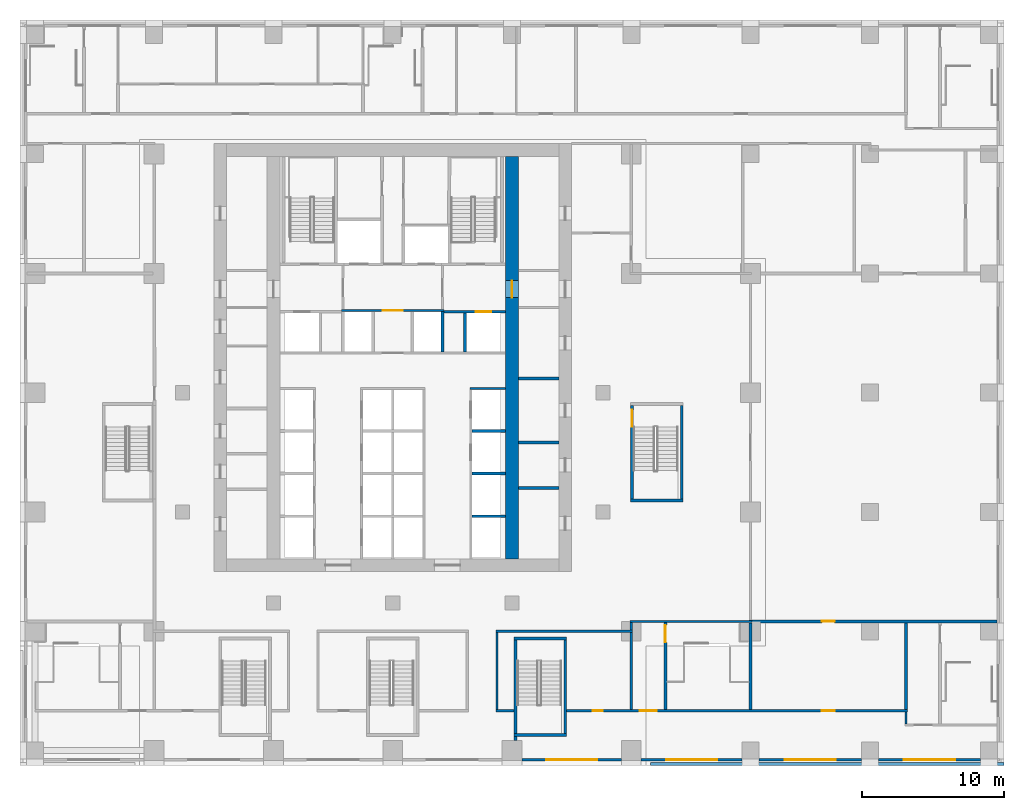
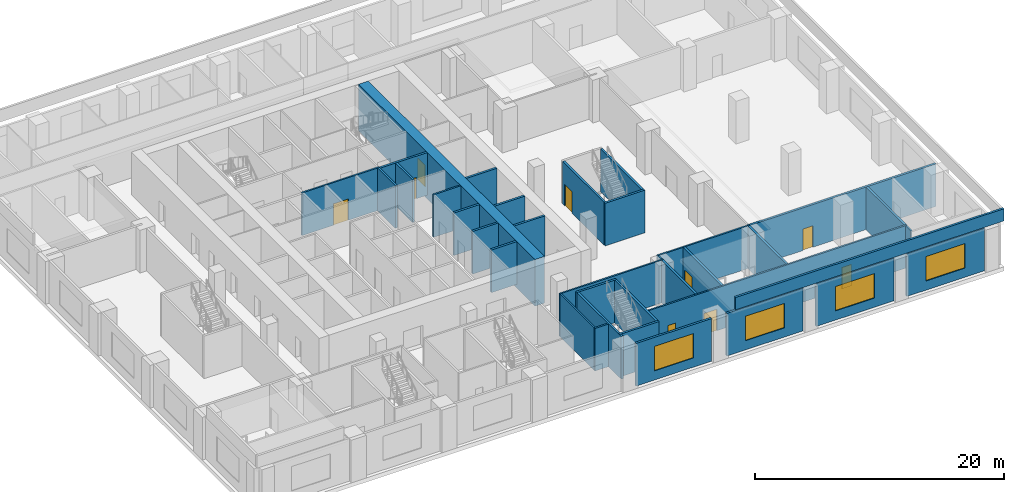
# One storey, part 5 of 16: 36 walls, 9 doors, 4 windows, 13 openings.
"""IFC4 building model written with IfcOpenShell, lengths in metres."""

from ifc_helpers import new_model, si_unit, direction, frame, frame_2d, origin, place, context, subcontext, project, spatial, rectangle, extrude, material, layer, layer_set, type_object, element, fill, save


model = new_model("IFC4")

# Units and contexts
model_context = context("Model", 3, precision=1e-05, world=origin(), true_north=direction((0.0, 1.0)))
body_context = subcontext(model_context, "Body", "Model", "MODEL_VIEW")
ifc_project = project(units=[si_unit("LENGTHUNIT", "METRE"), si_unit("AREAUNIT", "SQUARE_METRE"), si_unit("VOLUMEUNIT", "CUBIC_METRE"), si_unit("PLANEANGLEUNIT", "RADIAN"), si_unit("MASSUNIT", "GRAM", prefix="KILO")], contexts=[model_context])

# Site, building, storey
site_placement = place(None, origin())
site = spatial("IfcSite", under=ifc_project, at=site_placement, CompositionType="ELEMENT")
building_placement = place(site_placement, origin())
building = spatial("IfcBuilding", under=site, at=building_placement, Name="Vermilion Ogive Tower", CompositionType="ELEMENT")
storey_placement = place(building_placement, frame((0.0, 0.0, 30.0)))
storey = spatial("IfcBuildingStorey", under=building, at=storey_placement, Name="L05", CompositionType="ELEMENT", Elevation=30.0)

# Wall, opening, door
ifc_material_1 = material(Name="Concrete B80", Category="concrete")
ifc_layer_1 = layer(ifc_material_1, 0.89990234375)
ifc_layer_set_1 = layer_set([ifc_layer_1], Name="Core wall 900 B80")
wall_type_1 = type_object("IfcWallType", Name="Core wall 900 B80", PredefinedType="SHEAR", material=ifc_layer_set_1)
wall_1_placement = place(storey_placement, frame((8.39990234375, -7.5, -0.39990234375), z_axis=(0.0, 0.0, 1.0), x_axis=(0.0, 1.0, 0.0)))
wall_1 = element("IfcWall", 1, at=wall_1_placement, inside=storey, type_object=wall_type_1, Name="L05-CORE-WEB2", PredefinedType="SHEAR", context=body_context, shape_type="SweptSolid", body=[
    extrude(rectangle(XDim=28.35009765625, YDim=0.89990234375, at=frame_2d((14.175048828125, 0.0))), origin(), (0.0, 0.0, 1.0), 4.579833984375),
])
opening_1_placement = place(wall_1_placement, frame((18.39990234375, 0.0, 0.39990234375)))
opening_1 = element("IfcOpeningElement", 2, at=opening_1_placement, cuts=wall_1, Name="Opening DBC006", PredefinedType="OPENING", context=body_context, shape_type="SweptSolid", body=[
    extrude(rectangle(XDim=1.199951171875, YDim=2.10009765625, at=frame_2d((0.60009765625, 1.050048828125))), frame((0.0, 0.4599609375, 0.0), z_axis=(0.0, -1.0, 0.0), x_axis=(1.0, 0.0, 0.0)), (0.0, 0.0, 1.0), 0.919921875),
])
ifc_material_2 = material(Name="Timber door leaf", Category="wood")
door_type_1 = type_object("IfcDoorType", Name="Link door 1200 x 2100 FD60S", OperationType="SINGLE_SWING_LEFT", PredefinedType="DOOR", material=ifc_material_2)
door_1_placement = place(opening_1_placement, origin())
door_1 = element("IfcDoor", 3, at=door_1_placement, inside=storey, type_object=door_type_1, Name="L05-CKE-XW", OperationType="SINGLE_SWING_LEFT", OverallHeight=2.10009765625, OverallWidth=1.199951171875, PredefinedType="DOOR", context=body_context, shape_type="SweptSolid", body=[
    extrude(rectangle(XDim=1.199951171875, YDim=2.10009765625, at=frame_2d((0.60009765625, 1.050048828125))), frame((0.0, 0.02490234375, 0.0), z_axis=(0.0, -1.0, 0.0), x_axis=(1.0, 0.0, 0.0)), (0.0, 0.0, 1.0), 0.050048828125),
])
fill(opening_1, door_1)

# Wall
ifc_material_3 = material(Name="Gypsum board partition on steel studs", Category="steel")
ifc_layer_2 = layer(ifc_material_3, 0.14990234375)
ifc_layer_set_2 = layer_set([ifc_layer_2], Name="Partition 150 corridor")
wall_type_2 = type_object("IfcWallType", Name="Partition 150 corridor", PredefinedType="PARTITIONING", material=ifc_layer_set_2)
wall_2_placement = place(storey_placement, frame((7.27490234375, -18.199951171875, 0.0), z_axis=(0.0, 0.0, 1.0), x_axis=(1.0, 0.0, 0.0)))
element("IfcWall", 4, at=wall_2_placement, inside=storey, type_object=wall_type_2, Name="L05-FS-W-W006", PredefinedType="PARTITIONING", context=body_context, shape_type="SweptSolid", body=[
    extrude(rectangle(XDim=1.275146484375, YDim=0.14990234375, at=frame_2d((0.6376953125, 0.0))), origin(), (0.0, 0.0, 1.0), 4.179931640625),
])

# Wall, openings, doors
wall_3_placement = place(storey_placement, frame((12.25, -18.199951171875, 0.0), z_axis=(0.0, 0.0, 1.0), x_axis=(1.0, 0.0, 0.0)))
wall_3 = element("IfcWall", 5, at=wall_3_placement, inside=storey, type_object=wall_type_2, Name="L05-FS-W-W007", PredefinedType="PARTITIONING", context=body_context, shape_type="SweptSolid", body=[
    extrude(rectangle(XDim=24.0, YDim=0.14990234375, at=frame_2d((12.0, 0.0))), origin(), (0.0, 0.0, 1.0), 4.179931640625),
])
opening_2_placement = place(wall_3_placement, frame((5.14990234375, 0.0, 0.0)))
opening_2 = element("IfcOpeningElement", 6, at=opening_2_placement, cuts=wall_3, Name="Opening L05S009", PredefinedType="OPENING", context=body_context, shape_type="SweptSolid", body=[
    extrude(rectangle(XDim=1.199951171875, YDim=2.10009765625, at=frame_2d((0.60009765625, 1.050048828125))), frame((0.0, 0.0849609375, 0.0), z_axis=(0.0, -1.0, 0.0), x_axis=(1.0, 0.0, 0.0)), (0.0, 0.0, 1.0), 0.169921875),
])
opening_3_placement = place(wall_3_placement, frame((17.97509765625, 0.0, 0.0)))
opening_3 = element("IfcOpeningElement", 7, at=opening_3_placement, cuts=wall_3, Name="Opening L05S026", PredefinedType="OPENING", context=body_context, shape_type="SweptSolid", body=[
    extrude(rectangle(XDim=0.89990234375, YDim=2.10009765625, at=frame_2d((0.449951171875, 1.050048828125))), frame((0.0, 0.0849609375, 0.0), z_axis=(0.0, -1.0, 0.0), x_axis=(1.0, 0.0, 0.0)), (0.0, 0.0, 1.0), 0.169921875),
])
opening_4_placement = place(wall_3_placement, frame((1.824951171875, 0.0, 0.0)))
opening_4 = element("IfcOpeningElement", 8, at=opening_4_placement, cuts=wall_3, Name="Opening L05S033", PredefinedType="OPENING", context=body_context, shape_type="SweptSolid", body=[
    extrude(rectangle(XDim=0.699951171875, YDim=2.10009765625, at=frame_2d((0.35009765625, 1.050048828125))), frame((0.0, 0.0849609375, 0.0), z_axis=(0.0, -1.0, 0.0), x_axis=(1.0, 0.0, 0.0)), (0.0, 0.0, 1.0), 0.169921875),
])
ifc_material_4 = material(Name="Timber door leaf", Category="wood")
door_type_2 = type_object("IfcDoorType", Name="Room door 700 x 2100 FD30", OperationType="SINGLE_SWING_LEFT", PredefinedType="DOOR", material=ifc_material_4)
door_2_placement = place(opening_4_placement, origin())
door_2 = element("IfcDoor", 9, at=door_2_placement, inside=storey, type_object=door_type_2, Name="L05-FS-D-D033", OperationType="SINGLE_SWING_LEFT", OverallHeight=2.10009765625, OverallWidth=0.699951171875, PredefinedType="DOOR", context=body_context, shape_type="SweptSolid", body=[
    extrude(rectangle(XDim=0.699951171875, YDim=2.10009765625, at=frame_2d((0.35009765625, 1.050048828125))), frame((0.0, 0.02490234375, 0.0), z_axis=(0.0, -1.0, 0.0), x_axis=(1.0, 0.0, 0.0)), (0.0, 0.0, 1.0), 0.050048828125),
])
fill(opening_4, door_2)
ifc_material_5 = material(Name="Timber door leaf", Category="wood")
door_type_3 = type_object("IfcDoorType", Name="Room door 900 x 2100 FD30", OperationType="SINGLE_SWING_LEFT", PredefinedType="DOOR", material=ifc_material_5)
door_3_placement = place(opening_3_placement, origin())
door_3 = element("IfcDoor", 10, at=door_3_placement, inside=storey, type_object=door_type_3, Name="L05-FS-D-D026", OperationType="SINGLE_SWING_LEFT", OverallHeight=2.10009765625, OverallWidth=0.89990234375, PredefinedType="DOOR", context=body_context, shape_type="SweptSolid", body=[
    extrude(rectangle(XDim=0.89990234375, YDim=2.10009765625, at=frame_2d((0.449951171875, 1.050048828125))), frame((0.0, 0.02490234375, 0.0), z_axis=(0.0, -1.0, 0.0), x_axis=(1.0, 0.0, 0.0)), (0.0, 0.0, 1.0), 0.050048828125),
])
fill(opening_3, door_3)
ifc_material_6 = material(Name="Timber door leaf", Category="wood")
door_type_4 = type_object("IfcDoorType", Name="Stair door 1200 x 2100 FD60S", OperationType="SINGLE_SWING_LEFT", PredefinedType="DOOR", material=ifc_material_6)
door_4_placement = place(opening_2_placement, origin())
door_4 = element("IfcDoor", 11, at=door_4_placement, inside=storey, type_object=door_type_4, Name="L05-FS-D-D009", OperationType="SINGLE_SWING_LEFT", OverallHeight=2.10009765625, OverallWidth=1.199951171875, PredefinedType="DOOR", context=body_context, shape_type="SweptSolid", body=[
    extrude(rectangle(XDim=1.199951171875, YDim=2.10009765625, at=frame_2d((0.60009765625, 1.050048828125))), frame((0.0, 0.02490234375, 0.0), z_axis=(0.0, -1.0, 0.0), x_axis=(1.0, 0.0, 0.0)), (0.0, 0.0, 1.0), 0.050048828125),
])
fill(opening_2, door_4)

# Walls
wall_4_placement = place(storey_placement, frame((7.27490234375, -12.60009765625, 0.0), z_axis=(0.0, 0.0, 1.0), x_axis=(1.0, 0.0, 0.0)))
element("IfcWall", 12, at=wall_4_placement, inside=storey, type_object=wall_type_2, Name="L05-FS-W-W010", PredefinedType="PARTITIONING", context=body_context, shape_type="SweptSolid", body=[
    extrude(rectangle(XDim=9.625, YDim=0.14990234375, at=frame_2d((4.8125, 0.0))), origin(), (0.0, 0.0, 1.0), 4.179931640625),
])
wall_5_placement = place(storey_placement, frame((16.72509765625, -11.89990234375, 0.0), z_axis=(0.0, 0.0, 1.0), x_axis=(1.0, 0.0, 0.0)))
element("IfcWall", 13, at=wall_5_placement, inside=storey, type_object=wall_type_2, Name="L05-FS-W-W012", PredefinedType="PARTITIONING", context=body_context, shape_type="SweptSolid", body=[
    extrude(rectangle(XDim=8.574951171875, YDim=0.14990234375, at=frame_2d((4.28759765625, 0.0))), origin(), (0.0, 0.0, 1.0), 4.179931640625),
])
wall_6_placement = place(storey_placement, frame((7.35009765625, -18.125, 0.0), z_axis=(0.0, 0.0, 1.0), x_axis=(0.0, 1.0, 0.0)))
element("IfcWall", 14, at=wall_6_placement, inside=storey, type_object=wall_type_2, Name="L05-FS-W-W042", PredefinedType="PARTITIONING", context=body_context, shape_type="SweptSolid", body=[
    extrude(rectangle(XDim=5.449951171875, YDim=0.14990234375, at=frame_2d((2.72509765625, 0.0))), origin(), (0.0, 0.0, 1.0), 4.179931640625),
])
wall_7_placement = place(storey_placement, frame((16.800048828125, -12.52490234375, 0.0), z_axis=(0.0, 0.0, 1.0), x_axis=(0.0, 1.0, 0.0)))
element("IfcWall", 15, at=wall_7_placement, inside=storey, type_object=wall_type_2, Name="L05-FS-W-W046", PredefinedType="PARTITIONING", context=body_context, shape_type="SweptSolid", body=[
    extrude(rectangle(XDim=0.5498046875, YDim=0.14990234375, at=frame_2d((0.27490234375, 0.0))), origin(), (0.0, 0.0, 1.0), 4.179931640625),
])
wall_8_placement = place(storey_placement, frame((36.14990234375, -19.125, 0.0), z_axis=(0.0, 0.0, 1.0), x_axis=(0.0, 1.0, 0.0)))
element("IfcWall", 16, at=wall_8_placement, inside=storey, type_object=wall_type_2, Name="L05-FS-W-W055", PredefinedType="PARTITIONING", context=body_context, shape_type="SweptSolid", body=[
    extrude(rectangle(XDim=0.85009765625, YDim=0.14990234375, at=frame_2d((0.425048828125, 0.0))), origin(), (0.0, 0.0, 1.0), 4.179931640625),
])
wall_9_placement = place(storey_placement, frame((5.425048828125, 4.5, 0.0), z_axis=(0.0, 0.0, 1.0), x_axis=(1.0, 0.0, 0.0)))
element("IfcWall", 17, at=wall_9_placement, inside=storey, type_object=wall_type_2, Name="L05-CK-W-W012", PredefinedType="PARTITIONING", context=body_context, shape_type="SweptSolid", body=[
    extrude(rectangle(XDim=2.52392578125, YDim=0.14990234375, at=frame_2d((1.261962890625, 0.0))), origin(), (0.0, 0.0, 1.0), 4.179931640625),
])

# Wall, opening, door
wall_10_placement = place(storey_placement, frame((-3.60009765625, 10.0, 0.0), z_axis=(0.0, 0.0, 1.0), x_axis=(1.0, 0.0, 0.0)))
wall_10 = element("IfcWall", 18, at=wall_10_placement, inside=storey, type_object=wall_type_2, Name="L05-CK-W-W016", PredefinedType="PARTITIONING", context=body_context, shape_type="SweptSolid", body=[
    extrude(rectangle(XDim=7.2001953125, YDim=0.14990234375, at=frame_2d((3.60009765625, 0.0))), origin(), (0.0, 0.0, 1.0), 4.179931640625),
])
opening_5_placement = place(wall_10_placement, frame((2.900146484375, 0.0, 0.0)))
opening_5 = element("IfcOpeningElement", 19, at=opening_5_placement, cuts=wall_10, Name="Opening DAB127", PredefinedType="OPENING", context=body_context, shape_type="SweptSolid", body=[
    extrude(rectangle(XDim=1.39990234375, YDim=2.10009765625, at=frame_2d((0.699951171875, 1.050048828125))), frame((0.0, 0.0849609375, 0.0), z_axis=(0.0, -1.0, 0.0), x_axis=(1.0, 0.0, 0.0)), (0.0, 0.0, 1.0), 0.169921875),
])
ifc_material_7 = material(Name="Timber door leaf", Category="wood")
door_type_5 = type_object("IfcDoorType", Name="Lobby door 1400 x 2100 FD60S", OperationType="SINGLE_SWING_LEFT", PredefinedType="DOOR", material=ifc_material_7)
door_5_placement = place(opening_5_placement, origin())
door_5 = element("IfcDoor", 20, at=door_5_placement, inside=storey, type_object=door_type_5, Name="L05-CK-D-D016", OperationType="SINGLE_SWING_RIGHT", OverallHeight=2.10009765625, OverallWidth=1.39990234375, PredefinedType="DOOR", context=body_context, shape_type="SweptSolid", body=[
    extrude(rectangle(XDim=1.39990234375, YDim=2.10009765625, at=frame_2d((0.699951171875, 1.050048828125))), frame((0.0, 0.02490234375, 0.0), z_axis=(0.0, -1.0, 0.0), x_axis=(1.0, 0.0, 0.0)), (0.0, 0.0, 1.0), 0.050048828125),
])
fill(opening_5, door_5)

ifc_material_8 = material(Name="Gypsum board partition on steel studs", Category="steel")
ifc_layer_3 = layer(ifc_material_8, 0.199951171875)
ifc_layer_set_3 = layer_set([ifc_layer_3], Name="Partition 200 party")
wall_type_3 = type_object("IfcWallType", Name="Partition 200 party", PredefinedType="PARTITIONING", material=ifc_layer_set_3)
wall_11_placement = place(storey_placement, frame((25.10009765625, -11.89990234375, 0.0), z_axis=(0.0, 0.0, 1.0), x_axis=(1.0, 0.0, 0.0)))
wall_11 = element("IfcWall", 21, at=wall_11_placement, inside=storey, type_object=wall_type_3, Name="L05-FS-W-W013", PredefinedType="PARTITIONING", context=body_context, shape_type="SweptSolid", body=[
    extrude(rectangle(XDim=17.449951171875, YDim=0.199951171875, at=frame_2d((8.72509765625, 0.0))), origin(), (0.0, 0.0, 1.0), 4.179931640625),
])
opening_6_placement = place(wall_11_placement, frame((5.125, 0.0, 0.0)))
opening_6 = element("IfcOpeningElement", 22, at=opening_6_placement, cuts=wall_11, Name="Opening L05S027", PredefinedType="OPENING", context=body_context, shape_type="SweptSolid", body=[
    extrude(rectangle(XDim=0.89990234375, YDim=2.10009765625, at=frame_2d((0.449951171875, 1.050048828125))), frame((0.0, 0.10986328125, 0.0), z_axis=(0.0, -1.0, 0.0), x_axis=(1.0, 0.0, 0.0)), (0.0, 0.0, 1.0), 0.219970703125),
])
door_6_placement = place(opening_6_placement, origin())
door_6 = element("IfcDoor", 23, at=door_6_placement, inside=storey, type_object=door_type_3, Name="L05-FS-D-D027", OperationType="SINGLE_SWING_LEFT", OverallHeight=2.10009765625, OverallWidth=0.89990234375, PredefinedType="DOOR", context=body_context, shape_type="SweptSolid", body=[
    extrude(rectangle(XDim=0.89990234375, YDim=2.10009765625, at=frame_2d((0.449951171875, 1.050048828125))), frame((0.0, 0.02490234375, 0.0), z_axis=(0.0, -1.0, 0.0), x_axis=(1.0, 0.0, 0.0)), (0.0, 0.0, 1.0), 0.050048828125),
])
fill(opening_6, door_6)

# Wall
wall_12_placement = place(storey_placement, frame((16.800048828125, -18.125, 0.0), z_axis=(0.0, 0.0, 1.0), x_axis=(0.0, 1.0, 0.0)))
element("IfcWall", 24, at=wall_12_placement, inside=storey, type_object=wall_type_3, Name="L05-FS-W-W045", PredefinedType="PARTITIONING", context=body_context, shape_type="SweptSolid", body=[
    extrude(rectangle(XDim=5.449951171875, YDim=0.199951171875, at=frame_2d((2.72509765625, 0.0))), origin(), (0.0, 0.0, 1.0), 4.179931640625),
])

# Wall, opening, door
wall_13_placement = place(storey_placement, frame((19.199951171875, -18.125, 0.0), z_axis=(0.0, 0.0, 1.0), x_axis=(0.0, 1.0, 0.0)))
wall_13 = element("IfcWall", 25, at=wall_13_placement, inside=storey, type_object=wall_type_3, Name="L05-FS-W-W049", PredefinedType="PARTITIONING", context=body_context, shape_type="SweptSolid", body=[
    extrude(rectangle(XDim=6.14990234375, YDim=0.199951171875, at=frame_2d((3.074951171875, 0.0))), origin(), (0.0, 0.0, 1.0), 4.179931640625),
])
opening_7_placement = place(wall_13_placement, frame((4.75, 0.0, 0.0)))
opening_7 = element("IfcOpeningElement", 26, at=opening_7_placement, cuts=wall_13, Name="Opening L05S003", PredefinedType="OPENING", context=body_context, shape_type="SweptSolid", body=[
    extrude(rectangle(XDim=1.199951171875, YDim=2.10009765625, at=frame_2d((0.60009765625, 1.050048828125))), frame((0.0, 0.10986328125, 0.0), z_axis=(0.0, -1.0, 0.0), x_axis=(1.0, 0.0, 0.0)), (0.0, 0.0, 1.0), 0.219970703125),
])
door_7_placement = place(opening_7_placement, origin())
door_7 = element("IfcDoor", 27, at=door_7_placement, inside=storey, type_object=door_type_4, Name="L05-FS-D-D003", OperationType="DOUBLE_DOOR_SINGLE_SWING", OverallHeight=2.10009765625, OverallWidth=1.199951171875, PredefinedType="DOOR", context=body_context, shape_type="SweptSolid", body=[
    extrude(rectangle(XDim=1.199951171875, YDim=2.10009765625, at=frame_2d((0.60009765625, 1.050048828125))), frame((0.0, 0.02490234375, 0.0), z_axis=(0.0, -1.0, 0.0), x_axis=(1.0, 0.0, 0.0)), (0.0, 0.0, 1.0), 0.050048828125),
])
fill(opening_7, door_7)

# Walls
for number, where, z_axis, x_axis, name in (
    (28, (25.199951171875, -18.125, 0.0), (0.0, 0.0, 1.0), (0.0, 1.0, 0.0), "L05-FS-W-W051"),
    (29, (36.14990234375, -18.125, 0.0), (0.0, 0.0, 1.0), (0.0, 1.0, 0.0), "L05-FS-W-W056"),
):
    element("IfcWall", number, at=place(storey_placement, frame(where, z_axis=z_axis, x_axis=x_axis)), inside=storey, type_object=wall_type_3, Name=name, PredefinedType="PARTITIONING", context=body_context, shape_type="SweptSolid", body=[
        extrude(rectangle(XDim=6.125, YDim=0.199951171875, at=frame_2d((3.0625, 0.0))), origin(), (0.0, 0.0, 1.0), 4.179931640625),
    ])
for number, where, z_axis, x_axis, name in (
    (30, (5.574951171875, -4.5, 0.0), (0.0, 0.0, 1.0), (1.0, 0.0, 0.0), "L05-CK-W-W003"),
    (31, (5.574951171875, -1.5, 0.0), (0.0, 0.0, 1.0), (1.0, 0.0, 0.0), "L05-CK-W-W006"),
    (32, (5.574951171875, 1.5, 0.0), (0.0, 0.0, 1.0), (1.0, 0.0, 0.0), "L05-CK-W-W009"),
):
    element("IfcWall", number, at=place(storey_placement, frame(where, z_axis=z_axis, x_axis=x_axis)), inside=storey, type_object=wall_type_3, Name=name, PredefinedType="PARTITIONING", context=body_context, shape_type="SweptSolid", body=[
        extrude(rectangle(XDim=2.3740234375, YDim=0.199951171875, at=frame_2d((1.18701171875, 0.0))), origin(), (0.0, 0.0, 1.0), 4.179931640625),
    ])

# Wall, opening, door
wall_14_placement = place(storey_placement, frame((3.60009765625, 9.89990234375, 0.0), z_axis=(0.0, 0.0, 1.0), x_axis=(1.0, 0.0, 0.0)))
wall_14 = element("IfcWall", 33, at=wall_14_placement, inside=storey, type_object=wall_type_3, Name="L05-CK-W-W015", PredefinedType="PARTITIONING", context=body_context, shape_type="SweptSolid", body=[
    extrude(rectangle(XDim=4.348876953125, YDim=0.199951171875, at=frame_2d((2.17431640625, 0.0))), origin(), (0.0, 0.0, 1.0), 4.179931640625),
])
opening_8_placement = place(wall_14_placement, frame((2.25, 0.0, 0.0)))
opening_8 = element("IfcOpeningElement", 34, at=opening_8_placement, cuts=wall_14, Name="Opening DAB136", PredefinedType="OPENING", context=body_context, shape_type="SweptSolid", body=[
    extrude(rectangle(XDim=1.10009765625, YDim=2.10009765625, at=frame_2d((0.550048828125, 1.050048828125))), frame((0.0, 0.10986328125, 0.0), z_axis=(0.0, -1.0, 0.0), x_axis=(1.0, 0.0, 0.0)), (0.0, 0.0, 1.0), 0.219970703125),
])
ifc_material_9 = material(Name="Stainless steel", Category="steel")
door_type_6 = type_object("IfcDoorType", Name="Lift landing door 1100 x 2100", OperationType="SLIDING_TO_LEFT", PredefinedType="DOOR", material=ifc_material_9)
door_8_placement = place(opening_8_placement, origin())
door_8 = element("IfcDoor", 35, at=door_8_placement, inside=storey, type_object=door_type_6, Name="L05-CK-D-D014", OperationType="SLIDING_TO_LEFT", OverallHeight=2.10009765625, OverallWidth=1.10009765625, PredefinedType="DOOR", context=body_context, shape_type="SweptSolid", body=[
    extrude(rectangle(XDim=1.10009765625, YDim=2.10009765625, at=frame_2d((0.550048828125, 1.050048828125))), frame((0.0, 0.02490234375, 0.0), z_axis=(0.0, -1.0, 0.0), x_axis=(1.0, 0.0, 0.0)), (0.0, 0.0, 1.0), 0.050048828125),
])
fill(opening_8, door_8)

# Walls
wall_15_placement = place(storey_placement, frame((3.5, 7.074951171875, 0.0), z_axis=(0.0, 0.0, 1.0), x_axis=(0.0, 1.0, 0.0)))
element("IfcWall", 36, at=wall_15_placement, inside=storey, type_object=wall_type_3, Name="L05-CK-W-W035", PredefinedType="PARTITIONING", context=body_context, shape_type="SweptSolid", body=[
    extrude(rectangle(XDim=2.85009765625, YDim=0.199951171875, at=frame_2d((1.425048828125, 0.0))), origin(), (0.0, 0.0, 1.0), 4.179931640625),
])
wall_16_placement = place(storey_placement, frame((5.10009765625, 7.074951171875, 0.0), z_axis=(0.0, 0.0, 1.0), x_axis=(0.0, 1.0, 0.0)))
element("IfcWall", 37, at=wall_16_placement, inside=storey, type_object=wall_type_3, Name="L05-CK-W-W039", PredefinedType="PARTITIONING", context=body_context, shape_type="SweptSolid", body=[
    extrude(rectangle(XDim=2.72509765625, YDim=0.199951171875, at=frame_2d((1.362548828125, 0.0))), origin(), (0.0, 0.0, 1.0), 4.179931640625),
])
for number, where, z_axis, x_axis, name in (
    (38, (8.85107421875, -2.5, 0.0), (0.0, 0.0, 1.0), (1.0, 0.0, 0.0), "L05-CKE-W-W001"),
    (39, (8.85107421875, 0.699951171875, 0.0), (0.0, 0.0, 1.0), (1.0, 0.0, 0.0), "L05-CKE-W-W002"),
    (40, (8.85107421875, 5.199951171875, 0.0), (0.0, 0.0, 1.0), (1.0, 0.0, 0.0), "L05-CKE-W-W003"),
):
    element("IfcWall", number, at=place(storey_placement, frame(where, z_axis=z_axis, x_axis=x_axis)), inside=storey, type_object=wall_type_3, Name=name, PredefinedType="PARTITIONING", context=body_context, shape_type="SweptSolid", body=[
        extrude(rectangle(XDim=2.847900390625, YDim=0.199951171875, at=frame_2d((1.423828125, 0.0))), origin(), (0.0, 0.0, 1.0), 4.179931640625),
    ])
ifc_material_10 = material(Name="Concrete B60", Category="concrete")
ifc_layer_4 = layer(ifc_material_10, 0.199951171875)
ifc_layer_set_4 = layer_set([ifc_layer_4], Name="Stair shaft wall 200 Concrete B60")
wall_type_4 = type_object("IfcWallType", Name="Stair shaft wall 200 Concrete B60", PredefinedType="SOLIDWALL", material=ifc_layer_set_4)
for number, where, z_axis, x_axis, name in (
    (41, (8.550048828125, -19.89990234375, 0.0), (0.0, 0.0, 1.0), (1.0, 0.0, 0.0), "L05-SW-ST5-S1"),
    (42, (8.550048828125, -13.10009765625, 0.0), (0.0, 0.0, 1.0), (1.0, 0.0, 0.0), "L05-SW-ST5-N1"),
):
    element("IfcWall", number, at=place(storey_placement, frame(where, z_axis=z_axis, x_axis=x_axis)), inside=storey, type_object=wall_type_4, Name=name, PredefinedType="SOLIDWALL", context=body_context, shape_type="SweptSolid", body=[
        extrude(rectangle(XDim=3.699951171875, YDim=0.199951171875, at=frame_2d((1.85009765625, 0.0))), origin(), (0.0, 0.0, 1.0), 4.179931640625),
    ])
wall_17_placement = place(storey_placement, frame((8.64990234375, -20.300048828125, 0.0), z_axis=(0.0, 0.0, 1.0), x_axis=(0.0, 1.0, 0.0)))
element("IfcWall", 43, at=wall_17_placement, inside=storey, type_object=wall_type_4, Name="L05-SW-ST5-W1", PredefinedType="SOLIDWALL", context=body_context, shape_type="SweptSolid", body=[
    extrude(rectangle(XDim=7.10009765625, YDim=0.199951171875, at=frame_2d((3.550048828125, 0.0))), origin(), (0.0, 0.0, 1.0), 4.179931640625),
])
wall_18_placement = place(storey_placement, frame((12.14990234375, -19.800048828125, 0.0), z_axis=(0.0, 0.0, 1.0), x_axis=(0.0, 1.0, 0.0)))
element("IfcWall", 44, at=wall_18_placement, inside=storey, type_object=wall_type_4, Name="L05-SW-ST5-E1", PredefinedType="SOLIDWALL", context=body_context, shape_type="SweptSolid", body=[
    extrude(rectangle(XDim=6.60009765625, YDim=0.199951171875, at=frame_2d((3.300048828125, 0.0))), origin(), (0.0, 0.0, 1.0), 4.179931640625),
])
wall_19_placement = place(storey_placement, frame((16.75, -3.39990234375, 0.0), z_axis=(0.0, 0.0, 1.0), x_axis=(1.0, 0.0, 0.0)))
element("IfcWall", 45, at=wall_19_placement, inside=storey, type_object=wall_type_4, Name="L05-SW-ST8-S1", PredefinedType="SOLIDWALL", context=body_context, shape_type="SweptSolid", body=[
    extrude(rectangle(XDim=3.699951171875, YDim=0.199951171875, at=frame_2d((1.85009765625, 0.0))), origin(), (0.0, 0.0, 1.0), 4.179931640625),
])

# Wall, opening, door
wall_20_placement = place(storey_placement, frame((16.85009765625, -3.300048828125, 0.0), z_axis=(0.0, 0.0, 1.0), x_axis=(0.0, 1.0, 0.0)))
wall_20 = element("IfcWall", 46, at=wall_20_placement, inside=storey, type_object=wall_type_4, Name="L05-SW-ST8-W1", PredefinedType="SOLIDWALL", context=body_context, shape_type="SweptSolid", body=[
    extrude(rectangle(XDim=6.60009765625, YDim=0.199951171875, at=frame_2d((3.300048828125, 0.0))), origin(), (0.0, 0.0, 1.0), 4.179931640625),
])
opening_9_placement = place(wall_20_placement, frame((5.10009765625, 0.0, 0.0)))
opening_9 = element("IfcOpeningElement", 47, at=opening_9_placement, cuts=wall_20, Name="Opening DBF005", PredefinedType="OPENING", context=body_context, shape_type="SweptSolid", body=[
    extrude(rectangle(XDim=1.199951171875, YDim=2.10009765625, at=frame_2d((0.60009765625, 1.050048828125))), frame((0.0, 0.10986328125, 0.0), z_axis=(0.0, -1.0, 0.0), x_axis=(1.0, 0.0, 0.0)), (0.0, 0.0, 1.0), 0.219970703125),
])
door_9_placement = place(opening_9_placement, origin())
door_9 = element("IfcDoor", 48, at=door_9_placement, inside=storey, type_object=door_type_4, Name="L05-SD-ST8", OperationType="SINGLE_SWING_LEFT", OverallHeight=2.10009765625, OverallWidth=1.199951171875, PredefinedType="DOOR", context=body_context, shape_type="SweptSolid", body=[
    extrude(rectangle(XDim=1.199951171875, YDim=2.10009765625, at=frame_2d((0.60009765625, 1.050048828125))), frame((0.0, 0.02490234375, 0.0), z_axis=(0.0, -1.0, 0.0), x_axis=(1.0, 0.0, 0.0)), (0.0, 0.0, 1.0), 0.050048828125),
])
fill(opening_9, door_9)

# Walls
wall_21_placement = place(storey_placement, frame((20.35009765625, -3.300048828125, 0.0), z_axis=(0.0, 0.0, 1.0), x_axis=(0.0, 1.0, 0.0)))
element("IfcWall", 49, at=wall_21_placement, inside=storey, type_object=wall_type_4, Name="L05-SW-ST8-E1-A", PredefinedType="SOLIDWALL", context=body_context, shape_type="SweptSolid", body=[
    extrude(rectangle(XDim=6.60009765625, YDim=0.199951171875, at=frame_2d((3.300048828125, 0.0))), origin(), (0.0, 0.0, 1.0), 4.179931640625),
])
ifc_material_11 = material(Name="Concrete B45", Category="concrete")
ifc_layer_5 = layer(ifc_material_11, 0.199951171875)
ifc_layer_set_5 = layer_set([ifc_layer_5], Name="Terrace parapet RC Concrete B45")
wall_type_5 = type_object("IfcWallType", Name="Terrace parapet RC Concrete B45", PredefinedType="PARAPET", material=ifc_layer_set_5)
wall_22_placement = place(storey_placement, frame((18.14990234375, -21.949951171875, 4.5), z_axis=(0.0, 0.0, 1.0), x_axis=(1.0, 0.0, 0.0)))
element("IfcWall", 50, at=wall_22_placement, inside=storey, type_object=wall_type_5, Name="L05 terrace parapet 3", PredefinedType="PARAPET", context=body_context, shape_type="SweptSolid", body=[
    extrude(rectangle(XDim=24.900146484375, YDim=0.199951171875, at=frame_2d((12.4501953125, 0.0))), origin(), (0.0, 0.0, 1.0), 1.199951171875),
])

# Wall, opening, window
ifc_material_12 = material(Name="Aluminium window wall framing", Category="aluminium")
ifc_layer_6 = layer(ifc_material_12, 0.199951171875)
ifc_layer_set_6 = layer_set([ifc_layer_6], Name="Window wall")
wall_type_6 = type_object("IfcWallType", Name="Window wall", PredefinedType="STANDARD", material=ifc_layer_set_6)
wall_23_placement = place(storey_placement, frame((9.10009765625, -21.64990234375, 0.0), z_axis=(0.0, 0.0, 1.0), x_axis=(1.0, 0.0, 0.0)))
wall_23 = element("IfcWall", 51, at=wall_23_placement, inside=storey, type_object=wall_type_6, Name="Window wall S5", PredefinedType="STANDARD", context=body_context, shape_type="SweptSolid", body=[
    extrude(rectangle(XDim=7.0, YDim=0.199951171875, at=frame_2d((3.5, 0.0))), origin(), (0.0, 0.0, 1.0), 4.179931640625),
])
opening_10_placement = place(wall_23_placement, frame((1.699951171875, 0.0, 0.89990234375)))
opening_10 = element("IfcOpeningElement", 52, at=opening_10_placement, cuts=wall_23, Name="Opening P-S5", PredefinedType="OPENING", context=body_context, shape_type="SweptSolid", body=[
    extrude(rectangle(XDim=3.60009765625, YDim=2.39990234375, at=frame_2d((1.800048828125, 1.199951171875))), frame((0.0, 0.10986328125, 0.0), z_axis=(0.0, -1.0, 0.0), x_axis=(1.0, 0.0, 0.0)), (0.0, 0.0, 1.0), 0.219970703125),
])
ifc_material_13 = material(Name="Aluminium framed double glazing", Category="aluminium")
window_type = type_object("IfcWindowType", Name="Podium window P 3600x2400 sill 900", PartitioningType="SINGLE_PANEL", PredefinedType="WINDOW", material=ifc_material_13)
window_1_placement = place(opening_10_placement, origin())
window_1 = element("IfcWindow", 53, at=window_1_placement, inside=storey, type_object=window_type, Name="Window S5", OverallHeight=2.39990234375, OverallWidth=3.60009765625, PartitioningType="SINGLE_PANEL", PredefinedType="WINDOW", context=body_context, shape_type="SweptSolid", body=[
    extrude(rectangle(XDim=3.60009765625, YDim=2.39990234375, at=frame_2d((1.800048828125, 1.199951171875))), frame((0.0, 0.030029296875, 0.0), z_axis=(0.0, -1.0, 0.0), x_axis=(1.0, 0.0, 0.0)), (0.0, 0.0, 1.0), 0.06005859375),
])
fill(opening_10, window_1)

wall_24_placement = place(storey_placement, frame((17.5, -21.64990234375, 0.0), z_axis=(0.0, 0.0, 1.0), x_axis=(1.0, 0.0, 0.0)))
wall_24 = element("IfcWall", 54, at=wall_24_placement, inside=storey, type_object=wall_type_6, Name="Window wall S6", PredefinedType="STANDARD", context=body_context, shape_type="SweptSolid", body=[
    extrude(rectangle(XDim=7.10009765625, YDim=0.199951171875, at=frame_2d((3.550048828125, 0.0))), origin(), (0.0, 0.0, 1.0), 4.179931640625),
])
opening_11_placement = place(wall_24_placement, frame((1.75, 0.0, 0.89990234375)))
opening_11 = element("IfcOpeningElement", 55, at=opening_11_placement, cuts=wall_24, Name="Opening P-S6", PredefinedType="OPENING", context=body_context, shape_type="SweptSolid", body=[
    extrude(rectangle(XDim=3.60009765625, YDim=2.39990234375, at=frame_2d((1.800048828125, 1.199951171875))), frame((0.0, 0.10986328125, 0.0), z_axis=(0.0, -1.0, 0.0), x_axis=(1.0, 0.0, 0.0)), (0.0, 0.0, 1.0), 0.219970703125),
])
window_2_placement = place(opening_11_placement, origin())
window_2 = element("IfcWindow", 56, at=window_2_placement, inside=storey, type_object=window_type, Name="Window S6", OverallHeight=2.39990234375, OverallWidth=3.60009765625, PartitioningType="SINGLE_PANEL", PredefinedType="WINDOW", context=body_context, shape_type="SweptSolid", body=[
    extrude(rectangle(XDim=3.60009765625, YDim=2.39990234375, at=frame_2d((1.800048828125, 1.199951171875))), frame((0.0, 0.030029296875, 0.0), z_axis=(0.0, -1.0, 0.0), x_axis=(1.0, 0.0, 0.0)), (0.0, 0.0, 1.0), 0.06005859375),
])
fill(opening_11, window_2)

wall_25_placement = place(storey_placement, frame((25.800048828125, -21.64990234375, 0.0), z_axis=(0.0, 0.0, 1.0), x_axis=(1.0, 0.0, 0.0)))
wall_25 = element("IfcWall", 57, at=wall_25_placement, inside=storey, type_object=wall_type_6, Name="Window wall S7", PredefinedType="STANDARD", context=body_context, shape_type="SweptSolid", body=[
    extrude(rectangle(XDim=7.199951171875, YDim=0.199951171875, at=frame_2d((3.60009765625, 0.0))), origin(), (0.0, 0.0, 1.0), 4.179931640625),
])
opening_12_placement = place(wall_25_placement, frame((1.800048828125, 0.0, 0.89990234375)))
opening_12 = element("IfcOpeningElement", 58, at=opening_12_placement, cuts=wall_25, Name="Opening P-S7", PredefinedType="OPENING", context=body_context, shape_type="SweptSolid", body=[
    extrude(rectangle(XDim=3.60009765625, YDim=2.39990234375, at=frame_2d((1.800048828125, 1.199951171875))), frame((0.0, 0.10986328125, 0.0), z_axis=(0.0, -1.0, 0.0), x_axis=(1.0, 0.0, 0.0)), (0.0, 0.0, 1.0), 0.219970703125),
])
window_3_placement = place(opening_12_placement, origin())
window_3 = element("IfcWindow", 59, at=window_3_placement, inside=storey, type_object=window_type, Name="Window S7", OverallHeight=2.39990234375, OverallWidth=3.60009765625, PartitioningType="SINGLE_PANEL", PredefinedType="WINDOW", context=body_context, shape_type="SweptSolid", body=[
    extrude(rectangle(XDim=3.60009765625, YDim=2.39990234375, at=frame_2d((1.800048828125, 1.199951171875))), frame((0.0, 0.030029296875, 0.0), z_axis=(0.0, -1.0, 0.0), x_axis=(1.0, 0.0, 0.0)), (0.0, 0.0, 1.0), 0.06005859375),
])
fill(opening_12, window_3)

wall_26_placement = place(storey_placement, frame((34.199951171875, -21.64990234375, 0.0), z_axis=(0.0, 0.0, 1.0), x_axis=(1.0, 0.0, 0.0)))
wall_26 = element("IfcWall", 60, at=wall_26_placement, inside=storey, type_object=wall_type_6, Name="Window wall S8", PredefinedType="STANDARD", context=body_context, shape_type="SweptSolid", body=[
    extrude(rectangle(XDim=7.199951171875, YDim=0.199951171875, at=frame_2d((3.60009765625, 0.0))), origin(), (0.0, 0.0, 1.0), 4.179931640625),
])
opening_13_placement = place(wall_26_placement, frame((1.800048828125, 0.0, 0.89990234375)))
opening_13 = element("IfcOpeningElement", 61, at=opening_13_placement, cuts=wall_26, Name="Opening P-S8", PredefinedType="OPENING", context=body_context, shape_type="SweptSolid", body=[
    extrude(rectangle(XDim=3.60009765625, YDim=2.39990234375, at=frame_2d((1.800048828125, 1.199951171875))), frame((0.0, 0.10986328125, 0.0), z_axis=(0.0, -1.0, 0.0), x_axis=(1.0, 0.0, 0.0)), (0.0, 0.0, 1.0), 0.219970703125),
])
window_4_placement = place(opening_13_placement, origin())
window_4 = element("IfcWindow", 62, at=window_4_placement, inside=storey, type_object=window_type, Name="Window S8", OverallHeight=2.39990234375, OverallWidth=3.60009765625, PartitioningType="SINGLE_PANEL", PredefinedType="WINDOW", context=body_context, shape_type="SweptSolid", body=[
    extrude(rectangle(XDim=3.60009765625, YDim=2.39990234375, at=frame_2d((1.800048828125, 1.199951171875))), frame((0.0, 0.030029296875, 0.0), z_axis=(0.0, -1.0, 0.0), x_axis=(1.0, 0.0, 0.0)), (0.0, 0.0, 1.0), 0.06005859375),
])
fill(opening_13, window_4)

save(model, "model.ifc")
